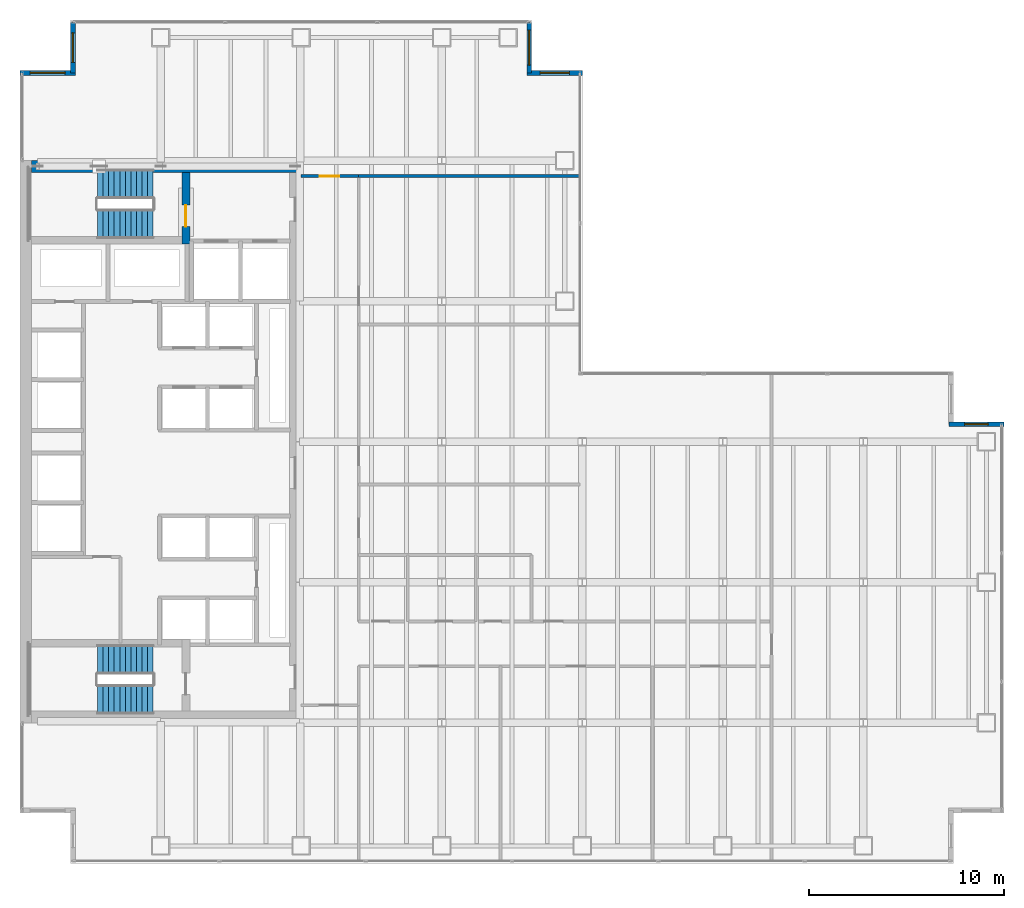
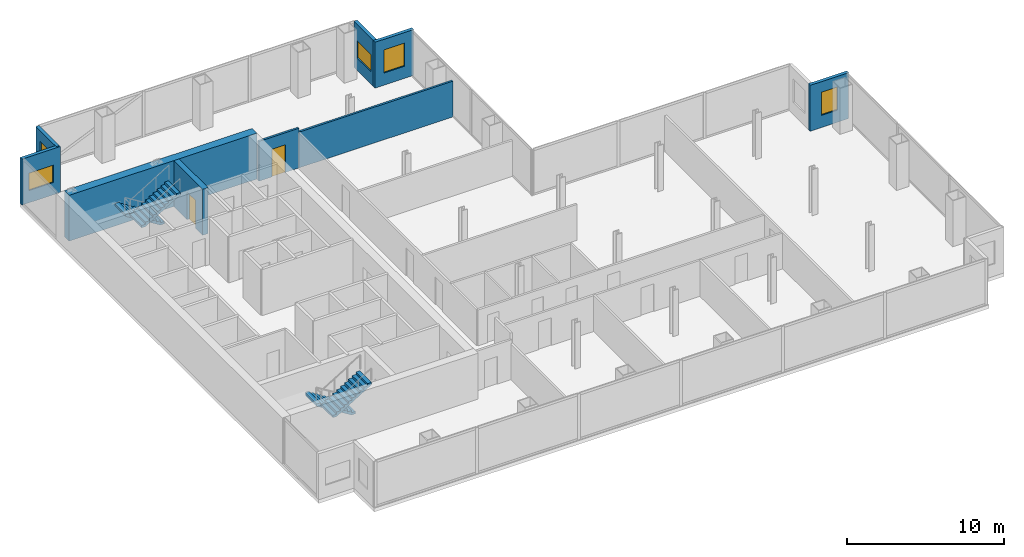
# One storey, part 22 of 23: 9 walls, 5 windows, 4 stair flights, 2 doors, 7 openings, 2 elements without a shape of their own.
"""IFC4 building model written with IfcOpenShell, lengths in metres."""

from ifc_helpers import new_model, si_unit, direction, frame, frame_2d, origin, place, context, subcontext, project, spatial, polyline, rectangle, outline, extrude, material, layer, layer_set, type_object, element, fill, aggregate, save


model = new_model("IFC4")

# Units and contexts
model_context = context("Model", 3, precision=1e-05, world=origin(), true_north=direction((0.0, 1.0)))
body_context = subcontext(model_context, "Body", "Model", "MODEL_VIEW")
ifc_project = project(units=[si_unit("LENGTHUNIT", "METRE"), si_unit("AREAUNIT", "SQUARE_METRE"), si_unit("VOLUMEUNIT", "CUBIC_METRE"), si_unit("PLANEANGLEUNIT", "RADIAN"), si_unit("MASSUNIT", "GRAM", prefix="KILO")], contexts=[model_context])

# Site, building, storey
site_placement = place(None, origin())
site = spatial("IfcSite", under=ifc_project, at=site_placement, CompositionType="ELEMENT")
building_placement = place(site_placement, origin())
building = spatial("IfcBuilding", under=site, at=building_placement, Name="Cobrela Telecom Tower", CompositionType="ELEMENT")
storey_placement = place(building_placement, frame((0.0, 0.0, 88.89990234375)))
storey = spatial("IfcBuildingStorey", under=building, at=storey_placement, Name="L22", CompositionType="ELEMENT", Elevation=88.89990234375)

# Wall
ifc_material_1 = material(Name="Concrete C50/60", Category="concrete")
ifc_layer_1 = layer(ifc_material_1, 0.60009765625)
ifc_layer_set_1 = layer_set([ifc_layer_1], Name="Concrete C50/60")
wall_type_1 = type_object("IfcWallType", Name="WALL-CORE-C50-600", PredefinedType="SHEAR", material=ifc_layer_set_1)
wall_1_placement = place(storey_placement, frame((0.60009765625, 35.699951171875, 0.0), z_axis=(0.0, 0.0, 1.0), x_axis=(1.0, 0.0, 0.0)))
element("IfcWall", 1, at=wall_1_placement, inside=storey, type_object=wall_type_1, Name="L22 North Core Shear Wall", PredefinedType="SHEAR", context=body_context, shape_type="SweptSolid", body=[
    extrude(rectangle(XDim=13.7998046875, YDim=0.60009765625, at=frame_2d((6.89990234375, 0.0))), origin(), (0.0, 0.0, 1.0), 3.570068359375),
])

# Wall, opening, window
ifc_material_2 = material(Name="Concrete C40/50", Category="concrete")
ifc_layer_2 = layer(ifc_material_2, 0.239990234375)
ifc_layer_set_2 = layer_set([ifc_layer_2], Name="Concrete C40/50")
wall_type_2 = type_object("IfcWallType", Name="WALL-EXT-300", PredefinedType="STANDARD", material=ifc_layer_set_2)
wall_2_placement = place(storey_placement, frame((0.0, 40.489990234375, 0.0), z_axis=(0.0, 0.0, 1.0), x_axis=(1.0, 0.0, 0.0)))
wall_2 = element("IfcWall", 2, at=wall_2_placement, inside=storey, type_object=wall_type_2, Name="L22 Insulated Facade Wall 05", PredefinedType="STANDARD", context=body_context, shape_type="SweptSolid", body=[
    extrude(rectangle(XDim=2.830078125, YDim=0.239990234375, at=frame_2d((1.4150390625, 0.0))), origin(), (0.0, 0.0, 1.0), 3.570068359375),
])
opening_1_placement = place(wall_2_placement, frame((0.514892578125, 0.0, 0.949951171875)))
opening_1 = element("IfcOpeningElement", 3, at=opening_1_placement, cuts=wall_2, Name="Opening WN-27", PredefinedType="OPENING", context=body_context, shape_type="SweptSolid", body=[
    extrude(rectangle(XDim=1.800048828125, YDim=1.35009765625, at=frame_2d((0.89990234375, 0.675048828125))), frame((0.0, 0.1318359375, 0.0), z_axis=(0.0, -1.0, 0.0), x_axis=(1.0, 0.0, 0.0)), (0.0, 0.0, 1.0), 0.263916015625),
])
ifc_material_3 = material(Name="Solar-Control Bronze Low-E Glass", Category="glass")
window_type_1 = type_object("IfcWindowType", Name="WIN-CLER-1800", PartitioningType="SINGLE_PANEL", PredefinedType="WINDOW", material=ifc_material_3)
window_1_placement = place(opening_1_placement, origin())
window_1 = element("IfcWindow", 4, at=window_1_placement, inside=storey, type_object=window_type_1, Name="L22 Corner Notch Facade Window 102", OverallHeight=1.35009765625, OverallWidth=1.800048828125, PartitioningType="SINGLE_PANEL", PredefinedType="WINDOW", context=body_context, shape_type="SweptSolid", body=[
    extrude(rectangle(XDim=1.800048828125, YDim=1.35009765625, at=frame_2d((0.89990234375, 0.675048828125))), frame((0.0, 0.030029296875, 0.0), z_axis=(0.0, -1.0, 0.0), x_axis=(1.0, 0.0, 0.0)), (0.0, 0.0, 1.0), 0.06005859375),
])
fill(opening_1, window_1)

wall_3_placement = place(storey_placement, frame((2.7099609375, 40.489990234375, 0.0), z_axis=(0.0, 0.0, 1.0), x_axis=(0.0, 1.0, 0.0)))
wall_3 = element("IfcWall", 5, at=wall_3_placement, inside=storey, type_object=wall_type_2, Name="L22 Insulated Facade Wall 06", PredefinedType="STANDARD", context=body_context, shape_type="SweptSolid", body=[
    extrude(rectangle(XDim=2.590087890625, YDim=0.239990234375, at=frame_2d((1.294921875, 0.0))), origin(), (0.0, 0.0, 1.0), 3.570068359375),
])
opening_2_placement = place(wall_3_placement, frame((0.544921875, 0.0, 0.949951171875)))
opening_2 = element("IfcOpeningElement", 6, at=opening_2_placement, cuts=wall_3, Name="Opening WN-45", PredefinedType="OPENING", context=body_context, shape_type="SweptSolid", body=[
    extrude(rectangle(XDim=1.5, YDim=1.800048828125, at=frame_2d((0.75, 0.89990234375))), frame((0.0, 0.1318359375, 0.0), z_axis=(0.0, -1.0, 0.0), x_axis=(1.0, 0.0, 0.0)), (0.0, 0.0, 1.0), 0.263916015625),
])
window_type_2 = type_object("IfcWindowType", Name="WIN-MOD-1500", PartitioningType="SINGLE_PANEL", PredefinedType="WINDOW", material=ifc_material_3)
window_2_placement = place(opening_2_placement, origin())
window_2 = element("IfcWindow", 7, at=window_2_placement, inside=storey, type_object=window_type_2, Name="L22 Corner Notch Facade Window 103", OverallHeight=1.800048828125, OverallWidth=1.5, PartitioningType="SINGLE_PANEL", PredefinedType="WINDOW", context=body_context, shape_type="SweptSolid", body=[
    extrude(rectangle(XDim=1.5, YDim=1.800048828125, at=frame_2d((0.75, 0.89990234375))), frame((0.0, 0.030029296875, 0.0), z_axis=(0.0, -1.0, 0.0), x_axis=(1.0, 0.0, 0.0)), (0.0, 0.0, 1.0), 0.06005859375),
])
fill(opening_2, window_2)

wall_4_placement = place(storey_placement, frame((26.090087890625, 43.080078125, 0.0), z_axis=(0.0, 0.0, 1.0), x_axis=(0.0, -1.0, 0.0)))
wall_4 = element("IfcWall", 8, at=wall_4_placement, inside=storey, type_object=wall_type_2, Name="L22 Insulated Facade Wall 08", PredefinedType="STANDARD", context=body_context, shape_type="SweptSolid", body=[
    extrude(rectangle(XDim=2.590087890625, YDim=0.239990234375, at=frame_2d((1.294921875, 0.0))), origin(), (0.0, 0.0, 1.0), 3.570068359375),
])
opening_3_placement = place(wall_4_placement, frame((0.39501953125, 0.0, 0.949951171875)))
opening_3 = element("IfcOpeningElement", 9, at=opening_3_placement, cuts=wall_4, Name="Opening WN-27", PredefinedType="OPENING", context=body_context, shape_type="SweptSolid", body=[
    extrude(rectangle(XDim=1.800048828125, YDim=1.35009765625, at=frame_2d((0.89990234375, 0.675048828125))), frame((0.0, 0.1318359375, 0.0), z_axis=(0.0, -1.0, 0.0), x_axis=(1.0, 0.0, 0.0)), (0.0, 0.0, 1.0), 0.263916015625),
])
window_3_placement = place(opening_3_placement, origin())
window_3 = element("IfcWindow", 10, at=window_3_placement, inside=storey, type_object=window_type_1, Name="L22 Corner Notch Facade Window 104", OverallHeight=1.35009765625, OverallWidth=1.800048828125, PartitioningType="SINGLE_PANEL", PredefinedType="WINDOW", context=body_context, shape_type="SweptSolid", body=[
    extrude(rectangle(XDim=1.800048828125, YDim=1.35009765625, at=frame_2d((0.89990234375, 0.675048828125))), frame((0.0, 0.030029296875, 0.0), z_axis=(0.0, -1.0, 0.0), x_axis=(1.0, 0.0, 0.0)), (0.0, 0.0, 1.0), 0.06005859375),
])
fill(opening_3, window_3)

wall_5_placement = place(storey_placement, frame((25.969970703125, 40.489990234375, 0.0), z_axis=(0.0, 0.0, 1.0), x_axis=(1.0, 0.0, 0.0)))
wall_5 = element("IfcWall", 11, at=wall_5_placement, inside=storey, type_object=wall_type_2, Name="L22 Insulated Facade Wall 09", PredefinedType="STANDARD", context=body_context, shape_type="SweptSolid", body=[
    extrude(rectangle(XDim=2.830078125, YDim=0.239990234375, at=frame_2d((1.4150390625, 0.0))), origin(), (0.0, 0.0, 1.0), 3.570068359375),
])
opening_4_placement = place(wall_5_placement, frame((0.6650390625, 0.0, 0.949951171875)))
opening_4 = element("IfcOpeningElement", 12, at=opening_4_placement, cuts=wall_5, Name="Opening WN-45", PredefinedType="OPENING", context=body_context, shape_type="SweptSolid", body=[
    extrude(rectangle(XDim=1.5, YDim=1.800048828125, at=frame_2d((0.75, 0.89990234375))), frame((0.0, 0.1318359375, 0.0), z_axis=(0.0, -1.0, 0.0), x_axis=(1.0, 0.0, 0.0)), (0.0, 0.0, 1.0), 0.263916015625),
])
window_4_placement = place(opening_4_placement, origin())
window_4 = element("IfcWindow", 13, at=window_4_placement, inside=storey, type_object=window_type_2, Name="L22 Corner Notch Facade Window 105", OverallHeight=1.800048828125, OverallWidth=1.5, PartitioningType="SINGLE_PANEL", PredefinedType="WINDOW", context=body_context, shape_type="SweptSolid", body=[
    extrude(rectangle(XDim=1.5, YDim=1.800048828125, at=frame_2d((0.75, 0.89990234375))), frame((0.0, 0.030029296875, 0.0), z_axis=(0.0, -1.0, 0.0), x_axis=(1.0, 0.0, 0.0)), (0.0, 0.0, 1.0), 0.06005859375),
])
fill(opening_4, window_4)

wall_6_placement = place(storey_placement, frame((47.570068359375, 22.489990234375, 0.0), z_axis=(0.0, 0.0, 1.0), x_axis=(1.0, 0.0, 0.0)))
wall_6 = element("IfcWall", 14, at=wall_6_placement, inside=storey, type_object=wall_type_2, Name="L22 Insulated Facade Wall 13", PredefinedType="STANDARD", context=body_context, shape_type="SweptSolid", body=[
    extrude(rectangle(XDim=2.829833984375, YDim=0.239990234375, at=frame_2d((1.4150390625, 0.0))), origin(), (0.0, 0.0, 1.0), 3.570068359375),
])
opening_5_placement = place(wall_6_placement, frame((0.81494140625, 0.0, 0.949951171875)))
opening_5 = element("IfcOpeningElement", 15, at=opening_5_placement, cuts=wall_6, Name="Opening WN-19", PredefinedType="OPENING", context=body_context, shape_type="SweptSolid", body=[
    extrude(rectangle(XDim=1.199951171875, YDim=1.800048828125, at=frame_2d((0.60009765625, 0.89990234375))), frame((0.0, 0.1318359375, 0.0), z_axis=(0.0, -1.0, 0.0), x_axis=(1.0, 0.0, 0.0)), (0.0, 0.0, 1.0), 0.263916015625),
])
window_type_3 = type_object("IfcWindowType", Name="WIN-MOD-1200", PartitioningType="SINGLE_PANEL", PredefinedType="WINDOW", material=ifc_material_3)
window_5_placement = place(opening_5_placement, origin())
window_5 = element("IfcWindow", 16, at=window_5_placement, inside=storey, type_object=window_type_3, Name="L22 Corner Notch Facade Window 107", OverallHeight=1.800048828125, OverallWidth=1.199951171875, PartitioningType="SINGLE_PANEL", PredefinedType="WINDOW", context=body_context, shape_type="SweptSolid", body=[
    extrude(rectangle(XDim=1.199951171875, YDim=1.800048828125, at=frame_2d((0.60009765625, 0.89990234375))), frame((0.0, 0.030029296875, 0.0), z_axis=(0.0, -1.0, 0.0), x_axis=(1.0, 0.0, 0.0)), (0.0, 0.0, 1.0), 0.06005859375),
])
fill(opening_5, window_5)

# Wall, opening, door
ifc_material_4 = material(Name="Fire-Rated Gypsum Plasterboard")
ifc_layer_3 = layer(ifc_material_4, 0.14990234375)
ifc_layer_set_3 = layer_set([ifc_layer_3], Name="Fire-Rated Gypsum Plasterboard")
wall_type_3 = type_object("IfcWallType", Name="WALL-PART-150", PredefinedType="PARTITIONING", material=ifc_layer_set_3)
wall_7_placement = place(storey_placement, frame((14.39990234375, 35.199951171875, 0.0), z_axis=(0.0, 0.0, 1.0), x_axis=(1.0, 0.0, 0.0)))
wall_7 = element("IfcWall", 17, at=wall_7_placement, inside=storey, type_object=wall_type_3, Name="L22 Interior Partition W-C-N0", PredefinedType="PARTITIONING", context=body_context, shape_type="SweptSolid", body=[
    extrude(rectangle(XDim=2.9501953125, YDim=0.14990234375, at=frame_2d((1.47509765625, 0.0))), origin(), (0.0, 0.0, 1.0), 3.088134765625),
])
opening_6_placement = place(wall_7_placement, frame((0.949951171875, 0.0, 0.0)))
opening_6 = element("IfcOpeningElement", 18, at=opening_6_placement, cuts=wall_7, Name="Opening DR-31", PredefinedType="OPENING", context=body_context, shape_type="SweptSolid", body=[
    extrude(rectangle(XDim=1.0, YDim=2.14990234375, at=frame_2d((0.5, 1.074951171875))), frame((0.0, 0.0869140625, 0.0), z_axis=(0.0, -1.0, 0.0), x_axis=(1.0, 0.0, 0.0)), (0.0, 0.0, 1.0), 0.173828125),
])
ifc_material_5 = material(Name="Solid Engineered Oak Timber", Category="wood")
door_type_1 = type_object("IfcDoorType", Name="DOOR-INT-1000", OperationType="SINGLE_SWING_LEFT", PredefinedType="DOOR", material=ifc_material_5)
door_1_placement = place(opening_6_placement, origin())
door_1 = element("IfcDoor", 19, at=door_1_placement, inside=storey, type_object=door_type_1, Name="L22 Door DR-31", OperationType="SINGLE_SWING_LEFT", OverallHeight=2.14990234375, OverallWidth=1.0, PredefinedType="DOOR", context=body_context, shape_type="SweptSolid", body=[
    extrude(rectangle(XDim=1.0, YDim=2.14990234375, at=frame_2d((0.5, 1.074951171875))), frame((0.0, 0.02490234375, 0.0), z_axis=(0.0, -1.0, 0.0), x_axis=(1.0, 0.0, 0.0)), (0.0, 0.0, 1.0), 0.050048828125),
])
fill(opening_6, door_1)

# Wall
wall_8_placement = place(storey_placement, frame((17.35009765625, 35.199951171875, 0.0), z_axis=(0.0, 0.0, 1.0), x_axis=(1.0, 0.0, 0.0)))
element("IfcWall", 20, at=wall_8_placement, inside=storey, type_object=wall_type_3, Name="L22 Interior Partition W-NW-S", PredefinedType="PARTITIONING", context=body_context, shape_type="SweptSolid", body=[
    extrude(rectangle(XDim=11.329833984375, YDim=0.14990234375, at=frame_2d((5.6650390625, 0.0))), origin(), (0.0, 0.0, 1.0), 2.783203125),
])

# Wall, opening, door
ifc_layer_4 = layer(ifc_material_2, 0.39990234375)
ifc_layer_set_4 = layer_set([ifc_layer_4], Name="Concrete C40/50")
wall_type_4 = type_object("IfcWallType", Name="WALL-SHAFT-C40-400", PredefinedType="SHEAR", material=ifc_layer_set_4)
wall_9_placement = place(storey_placement, frame((8.5, 31.719970703125, 0.0), z_axis=(0.0, 0.0, 1.0), x_axis=(0.0, 1.0, 0.0)))
wall_9 = element("IfcWall", 21, at=wall_9_placement, inside=storey, type_object=wall_type_4, Name="L22 North Stair Lobby Shear Wall", PredefinedType="SHEAR", context=body_context, shape_type="SweptSolid", body=[
    extrude(rectangle(XDim=3.679931640625, YDim=0.39990234375, at=frame_2d((1.83984375, 0.0))), origin(), (0.0, 0.0, 1.0), 3.570068359375),
])
opening_7_placement = place(wall_9_placement, frame((0.89990234375, 0.0, 0.0)))
opening_7 = element("IfcOpeningElement", 22, at=opening_7_placement, cuts=wall_9, Name="Opening DR-59", PredefinedType="OPENING", context=body_context, shape_type="SweptSolid", body=[
    extrude(rectangle(XDim=1.10009765625, YDim=2.14990234375, at=frame_2d((0.550048828125, 1.074951171875))), frame((0.0, 0.2119140625, 0.0), z_axis=(0.0, -1.0, 0.0), x_axis=(1.0, 0.0, 0.0)), (0.0, 0.0, 1.0), 0.423828125),
])
ifc_material_6 = material(Name="Steel ASTM A36", Category="steel")
door_type_2 = type_object("IfcDoorType", Name="DOOR-FD60-1100", OperationType="SINGLE_SWING_LEFT", PredefinedType="DOOR", material=ifc_material_6)
door_2_placement = place(opening_7_placement, origin())
door_2 = element("IfcDoor", 23, at=door_2_placement, inside=storey, type_object=door_type_2, Name="L22 Door DR-59", OperationType="SINGLE_SWING_RIGHT", OverallHeight=2.14990234375, OverallWidth=1.10009765625, PredefinedType="DOOR", context=body_context, shape_type="SweptSolid", body=[
    extrude(rectangle(XDim=1.10009765625, YDim=2.14990234375, at=frame_2d((0.550048828125, 1.074951171875))), frame((0.0, 0.02490234375, 0.0), z_axis=(0.0, -1.0, 0.0), x_axis=(1.0, 0.0, 0.0)), (0.0, 0.0, 1.0), 0.050048828125),
])
fill(opening_7, door_2)

# Stair, stair flights
stair_type = type_object("IfcStairType", Name="STAIR-CORE", PredefinedType="HALF_TURN_STAIR", material=ifc_material_2)
stair_1_placement = place(storey_placement, origin())
stair_1 = element("IfcStair", 24, at=stair_1_placement, inside=storey, type_object=stair_type, Name="L22 Smokeproof Exit Stair ST1", PredefinedType="HALF_TURN_STAIR")
stair_flight_type = type_object("IfcStairFlightType", Name="FLIGHT-CORE", PredefinedType="STRAIGHT", material=ifc_material_2)
stair_flight_1_placement = place(storey_placement, frame((6.820068359375, 34.800048828125, 0.0), z_axis=(0.0, 0.0, 1.0), x_axis=(-1.0, 0.0, 0.0)))
stair_flight_1 = element("IfcStairFlight", 25, at=stair_flight_1_placement, type_object=stair_flight_type, Name="ST1 flight 1", NumberOfRisers=11, NumberOfTreads=10, PredefinedType="STRAIGHT", RiserHeight=0.175, TreadLength=0.285, context=body_context, shape_type="SweptSolid", body=[
    extrude(outline(polyline([(0.0, 0.0), (0.0, 0.175048828125), (0.284912109375, 0.175048828125), (0.284912109375, 0.35009765625), (0.570068359375, 0.35009765625), (0.570068359375, 0.52490234375), (0.85498046875, 0.52490234375), (0.85498046875, 0.699951171875), (1.139892578125, 0.699951171875), (1.139892578125, 0.875), (1.425048828125, 0.875), (1.425048828125, 1.050048828125), (1.7099609375, 1.050048828125), (1.7099609375, 1.22509765625), (1.9951171875, 1.22509765625), (1.9951171875, 1.39990234375), (2.280029296875, 1.39990234375), (2.280029296875, 1.574951171875), (2.56494140625, 1.574951171875), (2.56494140625, 1.75), (2.85009765625, 1.75), (2.85009765625, 1.925048828125), (2.85009765625, 1.573974609375), (0.286376953125, 0.0), (0.0, 0.0)])), frame((0.0, 0.75, 0.0), z_axis=(0.0, -1.0, 0.0), x_axis=(1.0, 0.0, 0.0)), (0.0, 0.0, 1.0), 1.5),
])
stair_flight_2_placement = place(storey_placement, frame((3.969970703125, 32.75, 1.925048828125), z_axis=(0.0, 0.0, 1.0), x_axis=(1.0, 0.0, 0.0)))
stair_flight_2 = element("IfcStairFlight", 26, at=stair_flight_2_placement, type_object=stair_flight_type, Name="ST1 flight 2", NumberOfRisers=11, NumberOfTreads=10, PredefinedType="STRAIGHT", RiserHeight=0.175, TreadLength=0.285, context=body_context, shape_type="SweptSolid", body=[
    extrude(outline(polyline([(0.0, 0.0), (0.0, 0.175048828125), (0.284912109375, 0.175048828125), (0.284912109375, 0.35009765625), (0.570068359375, 0.35009765625), (0.570068359375, 0.52490234375), (0.85498046875, 0.52490234375), (0.85498046875, 0.699951171875), (1.139892578125, 0.699951171875), (1.139892578125, 0.875), (1.425048828125, 0.875), (1.425048828125, 1.050048828125), (1.7099609375, 1.050048828125), (1.7099609375, 1.22509765625), (1.9951171875, 1.22509765625), (1.9951171875, 1.39990234375), (2.280029296875, 1.39990234375), (2.280029296875, 1.574951171875), (2.56494140625, 1.574951171875), (2.56494140625, 1.75), (2.85009765625, 1.75), (2.85009765625, 1.925048828125), (2.85009765625, 1.573974609375), (0.286376953125, 0.0), (0.0, 0.0)])), frame((0.0, 0.75, 0.0), z_axis=(0.0, -1.0, 0.0), x_axis=(1.0, 0.0, 0.0)), (0.0, 0.0, 1.0), 1.5),
])
aggregate(stair_1, [stair_flight_1, stair_flight_2])

stair_2_placement = place(storey_placement, origin())
stair_2 = element("IfcStair", 27, at=stair_2_placement, inside=storey, type_object=stair_type, Name="L22 Smokeproof Exit Stair ST2", PredefinedType="HALF_TURN_STAIR")
stair_flight_3_placement = place(storey_placement, frame((6.820068359375, 10.449951171875, 0.0), z_axis=(0.0, 0.0, 1.0), x_axis=(-1.0, 0.0, 0.0)))
stair_flight_3 = element("IfcStairFlight", 28, at=stair_flight_3_placement, type_object=stair_flight_type, Name="ST2 flight 1", NumberOfRisers=11, NumberOfTreads=10, PredefinedType="STRAIGHT", RiserHeight=0.175, TreadLength=0.285, context=body_context, shape_type="SweptSolid", body=[
    extrude(outline(polyline([(0.0, 0.0), (0.0, 0.175048828125), (0.284912109375, 0.175048828125), (0.284912109375, 0.35009765625), (0.570068359375, 0.35009765625), (0.570068359375, 0.52490234375), (0.85498046875, 0.52490234375), (0.85498046875, 0.699951171875), (1.139892578125, 0.699951171875), (1.139892578125, 0.875), (1.425048828125, 0.875), (1.425048828125, 1.050048828125), (1.7099609375, 1.050048828125), (1.7099609375, 1.22509765625), (1.9951171875, 1.22509765625), (1.9951171875, 1.39990234375), (2.280029296875, 1.39990234375), (2.280029296875, 1.574951171875), (2.56494140625, 1.574951171875), (2.56494140625, 1.75), (2.85009765625, 1.75), (2.85009765625, 1.925048828125), (2.85009765625, 1.573974609375), (0.286376953125, 0.0), (0.0, 0.0)])), frame((0.0, 0.75, 0.0), z_axis=(0.0, -1.0, 0.0), x_axis=(1.0, 0.0, 0.0)), (0.0, 0.0, 1.0), 1.5),
])
stair_flight_4_placement = place(storey_placement, frame((3.969970703125, 8.39990234375, 1.925048828125), z_axis=(0.0, 0.0, 1.0), x_axis=(1.0, 0.0, 0.0)))
stair_flight_4 = element("IfcStairFlight", 29, at=stair_flight_4_placement, type_object=stair_flight_type, Name="ST2 flight 2", NumberOfRisers=11, NumberOfTreads=10, PredefinedType="STRAIGHT", RiserHeight=0.175, TreadLength=0.285, context=body_context, shape_type="SweptSolid", body=[
    extrude(outline(polyline([(0.0, 0.0), (0.0, 0.175048828125), (0.284912109375, 0.175048828125), (0.284912109375, 0.35009765625), (0.570068359375, 0.35009765625), (0.570068359375, 0.52490234375), (0.85498046875, 0.52490234375), (0.85498046875, 0.699951171875), (1.139892578125, 0.699951171875), (1.139892578125, 0.875), (1.425048828125, 0.875), (1.425048828125, 1.050048828125), (1.7099609375, 1.050048828125), (1.7099609375, 1.22509765625), (1.9951171875, 1.22509765625), (1.9951171875, 1.39990234375), (2.280029296875, 1.39990234375), (2.280029296875, 1.574951171875), (2.56494140625, 1.574951171875), (2.56494140625, 1.75), (2.85009765625, 1.75), (2.85009765625, 1.925048828125), (2.85009765625, 1.573974609375), (0.286376953125, 0.0), (0.0, 0.0)])), frame((0.0, 0.75, 0.0), z_axis=(0.0, -1.0, 0.0), x_axis=(1.0, 0.0, 0.0)), (0.0, 0.0, 1.0), 1.5),
])
aggregate(stair_2, [stair_flight_3, stair_flight_4])

save(model, "model.ifc")
